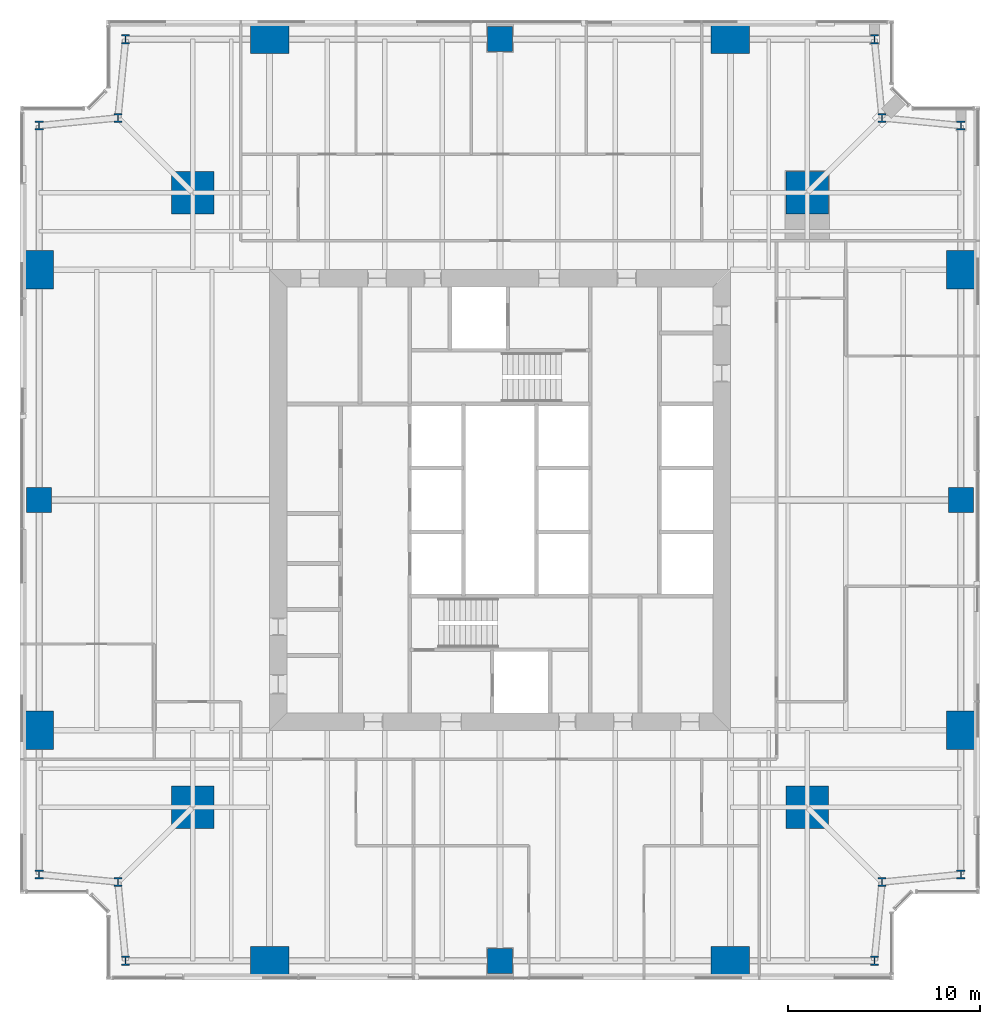
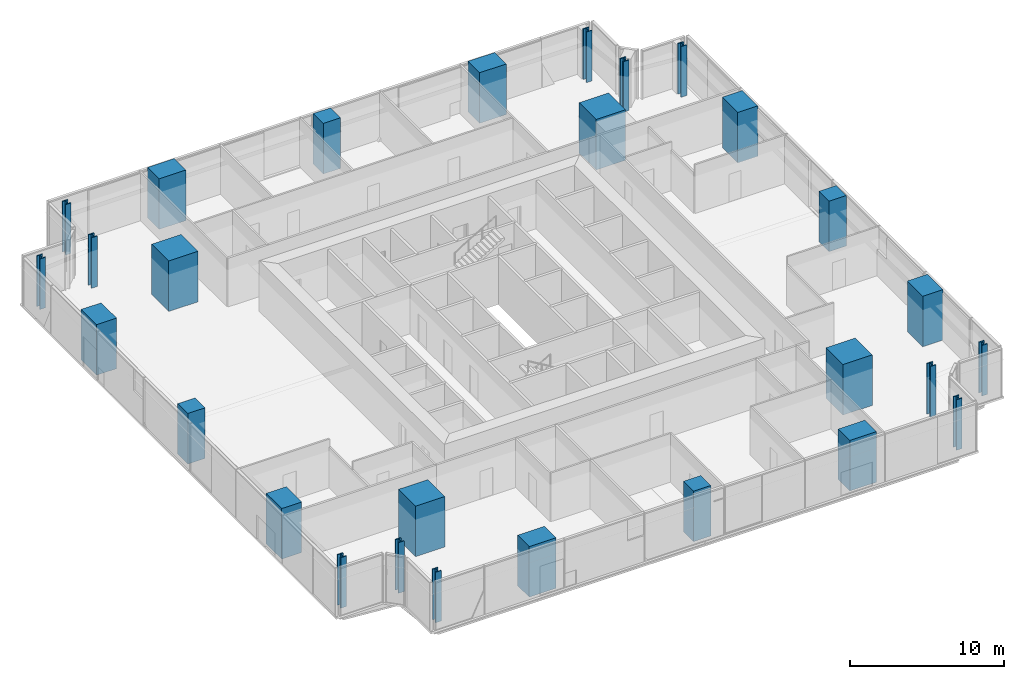
# One storey, part 1 of 14: 28 columns.
"""IFC4 building model written with IfcOpenShell, lengths in metres."""

from ifc_helpers import new_model, si_unit, direction, frame, origin, origin_2d, place, context, subcontext, project, spatial, rectangle, i_section, extrude, material, material_profile, profile_set, type_object, element, save


model = new_model("IFC4")

# Units and contexts
model_context = context("Model", 3, precision=1e-05, world=origin(), true_north=direction((0.0, 1.0)))
body_context = subcontext(model_context, "Body", "Model", "MODEL_VIEW")
ifc_project = project(units=[si_unit("LENGTHUNIT", "METRE"), si_unit("AREAUNIT", "SQUARE_METRE"), si_unit("VOLUMEUNIT", "CUBIC_METRE"), si_unit("PLANEANGLEUNIT", "RADIAN"), si_unit("MASSUNIT", "GRAM", prefix="KILO")], contexts=[model_context])

# Site, building, storey
site_placement = place(None, origin())
site = spatial("IfcSite", under=ifc_project, at=site_placement, CompositionType="ELEMENT")
building_placement = place(site_placement, origin())
building = spatial("IfcBuilding", under=site, at=building_placement, Name="Fenwick Lantern Interchange", CompositionType="ELEMENT")
storey_placement = place(building_placement, frame((0.0, 0.0, 154.39990234375)))
storey = spatial("IfcBuildingStorey", under=building, at=storey_placement, Name="L36", CompositionType="ELEMENT", Elevation=154.39990234375)

# Columns
ifc_material_1 = material(Name="Concrete f'c 70 MPa", Category="concrete")
ifc_material_profile_1 = material_profile(ifc_material_1, rectangle(XDim=2.199951171875, YDim=2.199951171875, at=origin_2d()), Name="RC2200X2200")
ifc_profile_set_1 = profile_set([ifc_material_profile_1], Name="Concrete f'c 70 MPa")
column_type_1 = type_object("IfcColumnType", Name="MEGA COLUMN RC2200X2200", PredefinedType="COLUMN", material=ifc_profile_set_1)
for number, where, z_axis, x_axis, name in (
    (1, (9.0, 9.0, 0.0), (0.0, 0.0, 1.0), (1.0, 0.0, 0.0), "L36/M1"),
    (2, (41.0, 9.0, 0.0), (0.0, 0.0, 1.0), (1.0, 0.0, 0.0), "L36/M2"),
    (3, (41.0, 41.0, 0.0), (0.0, 0.0, 1.0), (1.0, 0.0, 0.0), "L36/M3"),
    (4, (9.0, 41.0, 0.0), (0.0, 0.0, 1.0), (1.0, 0.0, 0.0), "L36/M4"),
):
    element("IfcColumn", number, at=place(storey_placement, frame(where, z_axis=z_axis, x_axis=x_axis)), inside=storey, type_object=column_type_1, Name=name, PredefinedType="COLUMN", context=body_context, shape_type="SweptSolid", body=[
        extrude(rectangle(XDim=2.199951171875, YDim=2.199951171875, at=origin_2d()), origin(), (0.0, 0.0, 1.0), 4.0),
    ])
ifc_material_profile_2 = material_profile(ifc_material_1, rectangle(XDim=1.300048828125, YDim=1.300048828125, at=origin_2d()), Name="RC1300X1300")
ifc_profile_set_2 = profile_set([ifc_material_profile_2], Name="Concrete f'c 70 MPa")
column_type_2 = type_object("IfcColumnType", Name="PERIMETER COLUMN RC1300X1300", PredefinedType="COLUMN", material=ifc_profile_set_2)
for number, where, z_axis, x_axis, name in (
    (5, (25.0, 1.0, 0.0), (0.0, 0.0, 1.0), (1.0, 0.0, 0.0), "L36/CS3"),
    (6, (49.0, 25.0, 0.0), (0.0, 0.0, 1.0), (1.0, 0.0, 0.0), "L36/CE3"),
    (7, (25.0, 49.0, 0.0), (0.0, 0.0, 1.0), (1.0, 0.0, 0.0), "L36/CN3"),
    (8, (1.0, 25.0, 0.0), (0.0, 0.0, 1.0), (1.0, 0.0, 0.0), "L36/CW3"),
):
    element("IfcColumn", number, at=place(storey_placement, frame(where, z_axis=z_axis, x_axis=x_axis)), inside=storey, type_object=column_type_2, Name=name, PredefinedType="COLUMN", context=body_context, shape_type="SweptSolid", body=[
        extrude(rectangle(XDim=1.300048828125, YDim=1.300048828125, at=origin_2d()), origin(), (0.0, 0.0, 1.0), 4.0),
    ])
ifc_material_profile_3 = material_profile(ifc_material_1, rectangle(XDim=1.5, YDim=2.0, at=origin_2d()), Name="RC1500X2000")
ifc_profile_set_3 = profile_set([ifc_material_profile_3], Name="Concrete f'c 70 MPa")
column_type_3 = type_object("IfcColumnType", Name="PERIMETER COLUMN RC1500X2000", PredefinedType="COLUMN", material=ifc_profile_set_3)
for number, where, z_axis, x_axis, name in (
    (9, (49.0, 13.0, 0.0), (0.0, 0.0, 1.0), (1.0, 0.0, 0.0), "L36/CE2"),
    (10, (49.0, 37.0, 0.0), (0.0, 0.0, 1.0), (1.0, 0.0, 0.0), "L36/CE4"),
    (11, (1.0, 37.0, 0.0), (0.0, 0.0, 1.0), (1.0, 0.0, 0.0), "L36/CW2"),
    (12, (1.0, 13.0, 0.0), (0.0, 0.0, 1.0), (1.0, 0.0, 0.0), "L36/CW4"),
):
    element("IfcColumn", number, at=place(storey_placement, frame(where, z_axis=z_axis, x_axis=x_axis)), inside=storey, type_object=column_type_3, Name=name, PredefinedType="COLUMN", context=body_context, shape_type="SweptSolid", body=[
        extrude(rectangle(XDim=1.5, YDim=2.0, at=origin_2d()), origin(), (0.0, 0.0, 1.0), 4.0),
    ])
ifc_material_profile_4 = material_profile(ifc_material_1, rectangle(XDim=2.0, YDim=1.5, at=origin_2d()), Name="RC2000X1500")
ifc_profile_set_4 = profile_set([ifc_material_profile_4], Name="Concrete f'c 70 MPa")
column_type_4 = type_object("IfcColumnType", Name="PERIMETER COLUMN RC2000X1500", PredefinedType="COLUMN", material=ifc_profile_set_4)
for number, where, z_axis, x_axis, name in (
    (13, (13.0, 1.0, 0.0), (0.0, 0.0, 1.0), (1.0, 0.0, 0.0), "L36/CS2"),
    (14, (37.0, 1.0, 0.0), (0.0, 0.0, 1.0), (1.0, 0.0, 0.0), "L36/CS4"),
    (15, (37.0, 49.0, 0.0), (0.0, 0.0, 1.0), (1.0, 0.0, 0.0), "L36/CN2"),
    (16, (13.0, 49.0, 0.0), (0.0, 0.0, 1.0), (1.0, 0.0, 0.0), "L36/CN4"),
):
    element("IfcColumn", number, at=place(storey_placement, frame(where, z_axis=z_axis, x_axis=x_axis)), inside=storey, type_object=column_type_4, Name=name, PredefinedType="COLUMN", context=body_context, shape_type="SweptSolid", body=[
        extrude(rectangle(XDim=2.0, YDim=1.5, at=origin_2d()), origin(), (0.0, 0.0, 1.0), 4.0),
    ])
ifc_material_2 = material(Name="Steel ASTM A992 Grade 50", Category="steel")
ifc_material_profile_5 = material_profile(ifc_material_2, i_section(OverallWidth=0.424072265625, OverallDepth=0.47509765625, WebThickness=0.0478515625, FlangeThickness=0.0771484375, at=origin_2d()), Name="W14X426")
ifc_profile_set_5 = profile_set([ifc_material_profile_5], Name="Steel ASTM A992 Grade 50")
column_type_5 = type_object("IfcColumnType", Name="PERIMETER COLUMN W14X426", PredefinedType="COLUMN", material=ifc_profile_set_5)
for number, where, z_axis, x_axis, name in (
    (17, (5.5, 1.0, 0.0), (0.0, 0.0, 1.0), (1.0, 0.0, 0.0), "L36/CS1"),
    (18, (44.5, 1.0, 0.0), (0.0, 0.0, 1.0), (1.0, 0.0, 0.0), "L36/CS5"),
    (19, (44.89990234375, 5.10009765625, 0.0), (0.0, 0.0, 1.0), (1.0, 0.0, 0.0), "L36/CSR"),
    (20, (49.0, 5.5, 0.0), (0.0, 0.0, 1.0), (1.0, 0.0, 0.0), "L36/CE1"),
    (21, (49.0, 44.5, 0.0), (0.0, 0.0, 1.0), (1.0, 0.0, 0.0), "L36/CE5"),
    (22, (44.89990234375, 44.89990234375, 0.0), (0.0, 0.0, 1.0), (1.0, 0.0, 0.0), "L36/CER"),
    (23, (44.5, 49.0, 0.0), (0.0, 0.0, 1.0), (1.0, 0.0, 0.0), "L36/CN1"),
    (24, (5.5, 49.0, 0.0), (0.0, 0.0, 1.0), (1.0, 0.0, 0.0), "L36/CN5"),
    (25, (5.10009765625, 44.89990234375, 0.0), (0.0, 0.0, 1.0), (1.0, 0.0, 0.0), "L36/CNR"),
    (26, (1.0, 44.5, 0.0), (0.0, 0.0, 1.0), (1.0, 0.0, 0.0), "L36/CW1"),
    (27, (1.0, 5.5, 0.0), (0.0, 0.0, 1.0), (1.0, 0.0, 0.0), "L36/CW5"),
    (28, (5.10009765625, 5.10009765625, 0.0), (0.0, 0.0, 1.0), (1.0, 0.0, 0.0), "L36/CWR"),
):
    element("IfcColumn", number, at=place(storey_placement, frame(where, z_axis=z_axis, x_axis=x_axis)), inside=storey, type_object=column_type_5, Name=name, PredefinedType="COLUMN", context=body_context, shape_type="SweptSolid", body=[
        extrude(i_section(OverallWidth=0.424072265625, OverallDepth=0.47509765625, WebThickness=0.0478515625, FlangeThickness=0.0771484375, at=origin_2d()), origin(), (0.0, 0.0, 1.0), 4.0),
    ])

save(model, "model.ifc")
